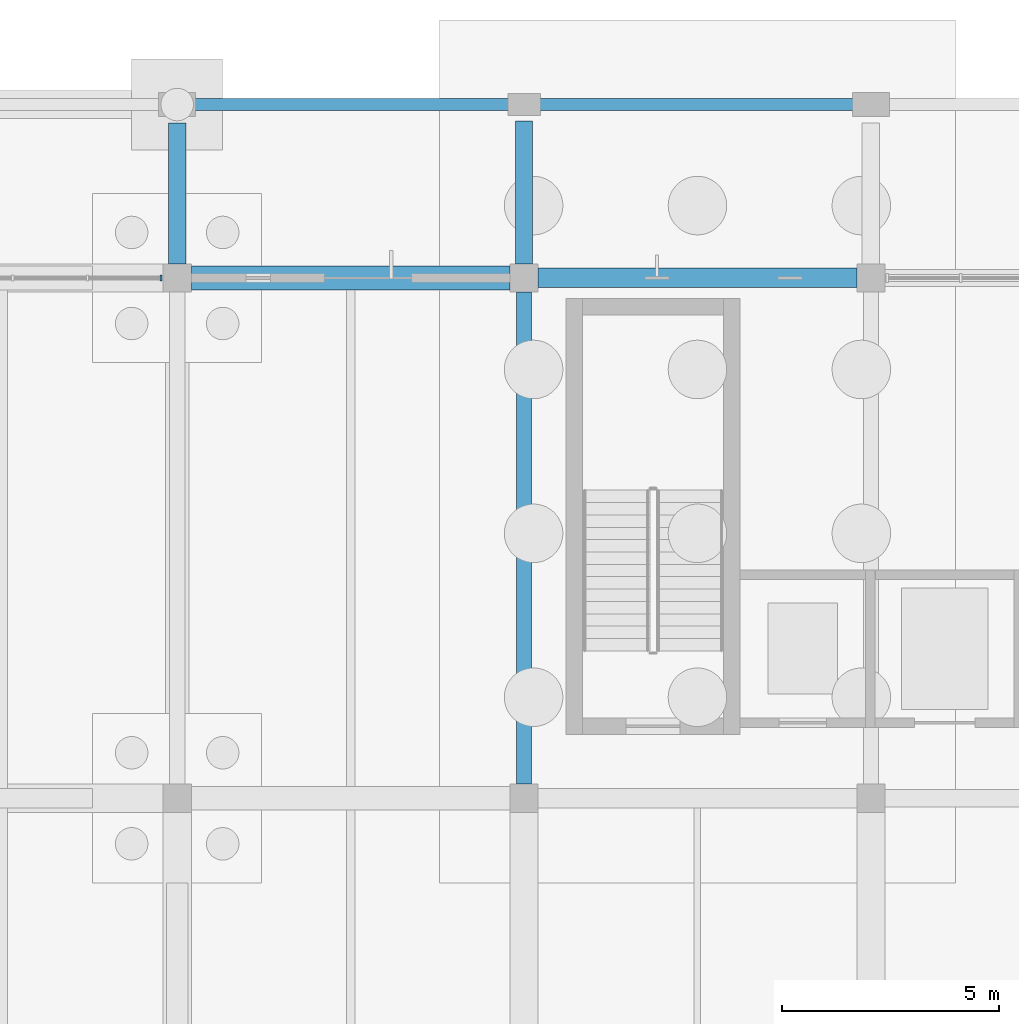
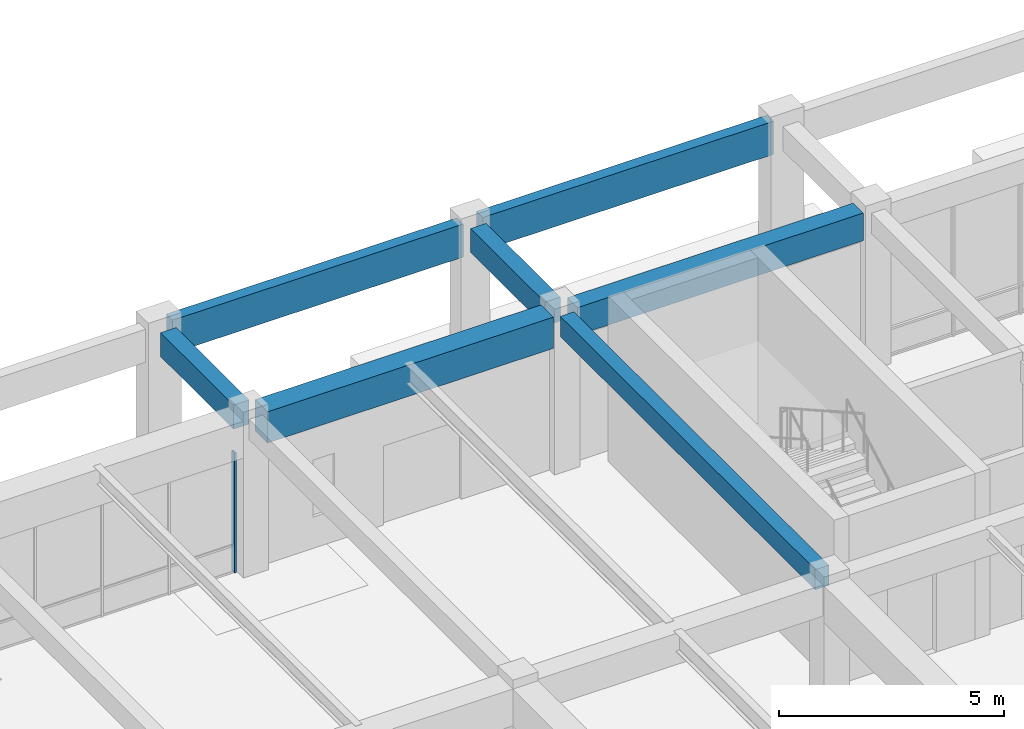
# One storey, part 29 of 84: 7 beams, 1 member, 1 element without a shape of its own.
"""IFC4 building model written with IfcOpenShell, lengths in metres."""

from ifc_helpers import new_model, si_unit, direction, frame, origin, origin_2d, place, context, subcontext, project, spatial, rectangle, extrude, material, material_profile, profile_set, type_object, element, aggregate, save


model = new_model("IFC4")

# Units and contexts
model_context = context("Model", 3, precision=1e-05, world=origin(), true_north=direction((0.0, 1.0)))
body_context = subcontext(model_context, "Body", "Model", "MODEL_VIEW")
ifc_project = project(units=[si_unit("LENGTHUNIT", "METRE"), si_unit("AREAUNIT", "SQUARE_METRE"), si_unit("VOLUMEUNIT", "CUBIC_METRE"), si_unit("PLANEANGLEUNIT", "RADIAN"), si_unit("MASSUNIT", "GRAM", prefix="KILO")], contexts=[model_context])

# Site, building, storey
site_placement = place(None, origin())
site = spatial("IfcSite", under=ifc_project, at=site_placement, CompositionType="ELEMENT")
building_placement = place(site_placement, origin())
building = spatial("IfcBuilding", under=site, at=building_placement, Name="Larkveld Mobility Hub", CompositionType="ELEMENT")
storey_placement = place(building_placement, origin())
storey = spatial("IfcBuildingStorey", under=building, at=storey_placement, Name="L00", CompositionType="ELEMENT", Elevation=0.0)

# Beams
ifc_material_1 = material(Name="Concrete C40/50", Category="concrete")
ifc_material_profile_1 = material_profile(ifc_material_1, rectangle(XDim=0.35009765625, YDim=0.550048828125, at=origin_2d()), Name="RC BM 350x550")
ifc_profile_set_1 = profile_set([ifc_material_profile_1], Name="Concrete C40/50")
beam_type_1 = type_object("IfcBeamType", Name="BM-RC3555", PredefinedType="BEAM", material=ifc_profile_set_1)
beam_1_placement = place(storey_placement, frame((24.0, 110.324951171875, 3.985107421875), z_axis=(0.0, 1.0, 0.0), x_axis=(-1.0, 0.0, 0.0)))
element("IfcBeam", 1, at=beam_1_placement, inside=storey, type_object=beam_type_1, Name="Primary N-S Girder L00-0125", PredefinedType="BEAM", context=body_context, shape_type="SweptSolid", body=[
    extrude(rectangle(XDim=0.35009765625, YDim=0.550048828125, at=origin_2d()), origin(), (0.0, 0.0, 1.0), 11.35009765625),
])
ifc_material_profile_2 = material_profile(ifc_material_1, rectangle(XDim=0.39990234375, YDim=0.64990234375, at=origin_2d()), Name="RC BM 400x650")
ifc_profile_set_2 = profile_set([ifc_material_profile_2], Name="Concrete C40/50")
beam_type_2 = type_object("IfcBeamType", Name="BM-RC4065", PredefinedType="BEAM", material=ifc_profile_set_2)
beam_2_placement = place(storey_placement, frame((16.0, 122.324951171875, 3.93505859375), z_axis=(0.0, 1.0, 0.0), x_axis=(-1.0, 0.0, 0.0)))
element("IfcBeam", 2, at=beam_2_placement, inside=storey, type_object=beam_type_2, Name="Primary N-S Girder L00-0123", PredefinedType="BEAM", context=body_context, shape_type="SweptSolid", body=[
    extrude(rectangle(XDim=0.39990234375, YDim=0.64990234375, at=origin_2d()), origin(), (0.0, 0.0, 1.0), 3.25),
])
beam_3_placement = place(storey_placement, frame((24.0, 122.324951171875, 3.93505859375), z_axis=(0.0, 1.0, 0.0), x_axis=(-1.0, 0.0, 0.0)))
element("IfcBeam", 3, at=beam_3_placement, inside=storey, type_object=beam_type_2, Name="Primary N-S Girder L00-0126", PredefinedType="BEAM", context=body_context, shape_type="SweptSolid", body=[
    extrude(rectangle(XDim=0.39990234375, YDim=0.64990234375, at=origin_2d()), origin(), (0.0, 0.0, 1.0), 3.300048828125),
])
ifc_material_profile_3 = material_profile(ifc_material_1, rectangle(XDim=0.449951171875, YDim=0.75, at=origin_2d()), Name="RC BM 450x750")
ifc_profile_set_3 = profile_set([ifc_material_profile_3], Name="Concrete C40/50")
beam_type_3 = type_object("IfcBeamType", Name="BM-RC4575", PredefinedType="BEAM", material=ifc_profile_set_3)
beam_4_placement = place(storey_placement, frame((24.324951171875, 122.0, 3.885009765625), z_axis=(1.0, 0.0, 0.0), x_axis=(0.0, 1.0, 0.0)))
element("IfcBeam", 4, at=beam_4_placement, inside=storey, type_object=beam_type_3, Name="Primary E-W Girder L00-0087", PredefinedType="BEAM", context=body_context, shape_type="SweptSolid", body=[
    extrude(rectangle(XDim=0.449951171875, YDim=0.75, at=origin_2d()), origin(), (0.0, 0.0, 1.0), 7.35009765625),
])
ifc_material_profile_4 = material_profile(ifc_material_1, rectangle(XDim=0.550048828125, YDim=0.85009765625, at=origin_2d()), Name="RC BM 550x850")
ifc_profile_set_4 = profile_set([ifc_material_profile_4], Name="Concrete C40/50")
beam_type_4 = type_object("IfcBeamType", Name="BM-RC5585", PredefinedType="BEAM", material=ifc_profile_set_4)
beam_5_placement = place(storey_placement, frame((16.324951171875, 122.0, 3.8349609375), z_axis=(1.0, 0.0, 0.0), x_axis=(0.0, 1.0, 0.0)))
element("IfcBeam", 5, at=beam_5_placement, inside=storey, type_object=beam_type_4, Name="Primary E-W Girder L00-0086", PredefinedType="BEAM", context=body_context, shape_type="SweptSolid", body=[
    extrude(rectangle(XDim=0.550048828125, YDim=0.85009765625, at=origin_2d()), origin(), (0.0, 0.0, 1.0), 7.35009765625),
])
ifc_material_2 = material(Name="Precast concrete C50/60", Category="concrete")
ifc_material_profile_5 = material_profile(ifc_material_2, rectangle(XDim=0.280029296875, YDim=0.89990234375, at=origin_2d()), Name="PC SP 280x900")
ifc_profile_set_5 = profile_set([ifc_material_profile_5], Name="Precast concrete C50/60")
beam_type_5 = type_object("IfcBeamType", Name="BM-SP2890", PredefinedType="SPANDREL", material=ifc_profile_set_5)
for number, where, z_axis, x_axis, name in (
    (6, (16.27490234375, 126.0, 3.81005859375), (1.0, 0.0, 0.0), (0.0, 1.0, 0.0), "Primary E-W Girder L00-0098"),
    (7, (24.25, 126.0, 3.81005859375), (1.0, 0.0, 0.0), (0.0, 1.0, 0.0), "Primary E-W Girder L00-0099"),
):
    element("IfcBeam", number, at=place(storey_placement, frame(where, z_axis=z_axis, x_axis=x_axis)), inside=storey, type_object=beam_type_5, Name=name, PredefinedType="SPANDREL", context=body_context, shape_type="SweptSolid", body=[
        extrude(rectangle(XDim=0.280029296875, YDim=0.89990234375, at=origin_2d()), origin(), (0.0, 0.0, 1.0), 7.47509765625),
    ])

# Curtain wall, member
ifc_material_3 = material(Name="Anodised aluminium 6063-T6", Category="aluminium")
curtain_wall_type = type_object("IfcCurtainWallType", Name="CW-SYS-08", PredefinedType="NOTDEFINED", material=ifc_material_3)
curtain_wall_placement = place(storey_placement, origin())
curtain_wall = element("IfcCurtainWall", 8, at=curtain_wall_placement, inside=storey, type_object=curtain_wall_type, Name="Bicycle Hall North Curtain Wall L00 CW-068", PredefinedType="NOTDEFINED")
ifc_material_profile_6 = material_profile(ifc_material_3, rectangle(XDim=0.050048828125, YDim=0.1298828125, at=origin_2d()), Name="ALU MULL 50x130")
ifc_profile_set_6 = profile_set([ifc_material_profile_6], Name="Anodised aluminium 6063-T6")
member_type = type_object("IfcMemberType", Name="CW-MUL-04", PredefinedType="MULLION", material=ifc_profile_set_6)
member_placement = place(storey_placement, frame((15.625, 122.0, -0.001953125), z_axis=(0.0, 0.0, 1.0), x_axis=(-1.0, 0.0, 0.0)))
member = element("IfcMember", 9, at=member_placement, type_object=member_type, Name="CW08 mullion 1", PredefinedType="MULLION", context=body_context, shape_type="SweptSolid", body=[
    extrude(rectangle(XDim=0.050048828125, YDim=0.1298828125, at=origin_2d()), origin(), (0.0, 0.0, 1.0), 3.261962890625),
])
aggregate(curtain_wall, [member])

save(model, "model.ifc")
